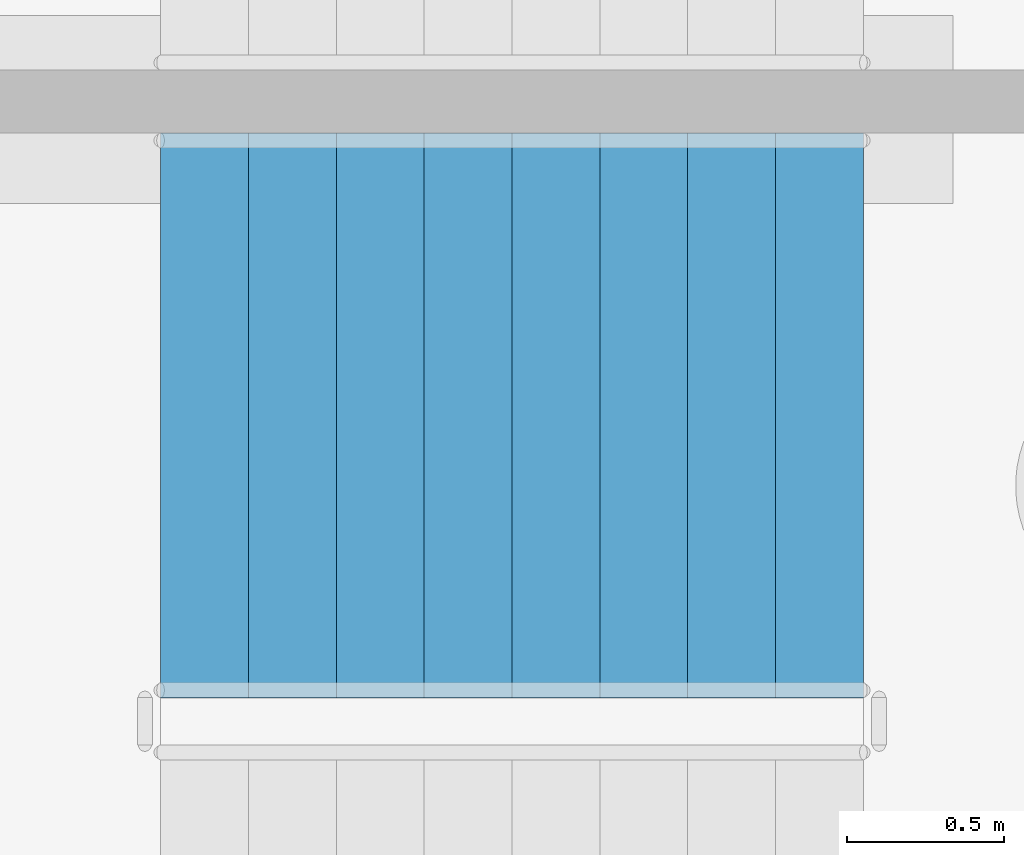
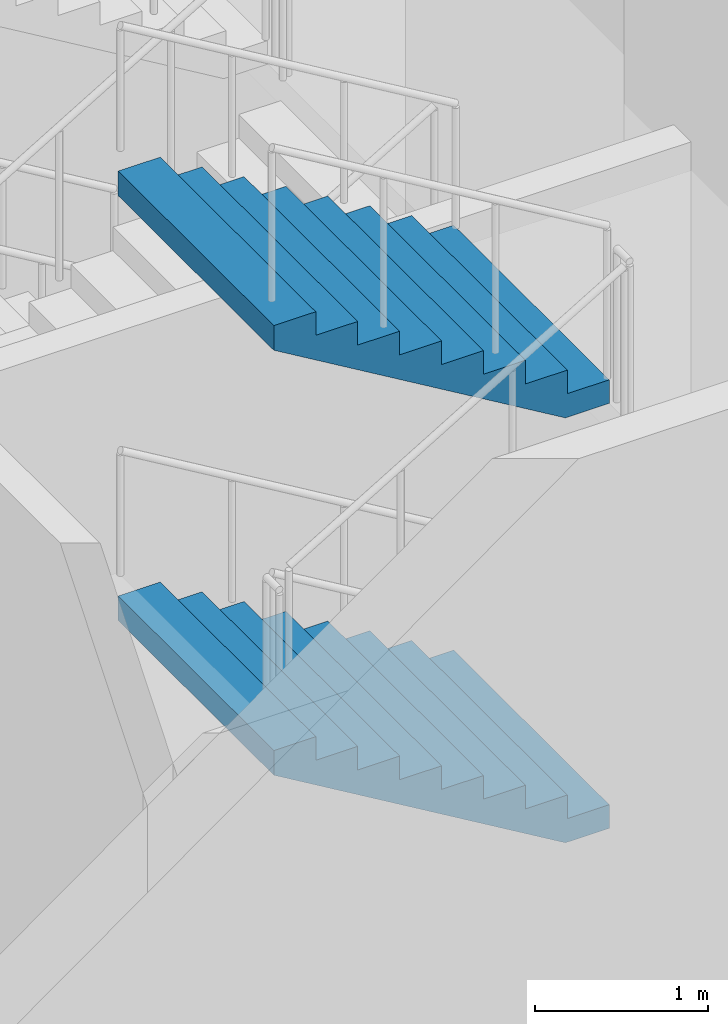
# One storey, part 24 of 39: 2 stair flights, 1 element without a shape of its own.
"""IFC4 building model written with IfcOpenShell, lengths in metres."""

from ifc_helpers import new_model, si_unit, direction, frame, origin, place, context, subcontext, project, spatial, triangles, material, type_object, element, aggregate, save


model = new_model("IFC4")

# Units and contexts
model_context = context("Model", 3, precision=1e-05, world=origin(), true_north=direction((0.0, 1.0)))
body_context = subcontext(model_context, "Body", "Model", "MODEL_VIEW")
ifc_project = project(units=[si_unit("LENGTHUNIT", "METRE"), si_unit("AREAUNIT", "SQUARE_METRE"), si_unit("VOLUMEUNIT", "CUBIC_METRE"), si_unit("PLANEANGLEUNIT", "RADIAN"), si_unit("MASSUNIT", "GRAM", prefix="KILO")], contexts=[model_context])

# Site, building, storey
site_placement = place(None, origin())
site = spatial("IfcSite", under=ifc_project, at=site_placement, CompositionType="ELEMENT")
building_placement = place(site_placement, origin())
building = spatial("IfcBuilding", under=site, at=building_placement, Name="Magnolia Steps Interchange", CompositionType="ELEMENT")
storey_placement = place(building_placement, frame((0.0, 0.0, -11.39990234375)))
storey = spatial("IfcBuildingStorey", under=building, at=storey_placement, Name="B2", CompositionType="ELEMENT", Elevation=-11.39990234375)

# Stair, stair flights
ifc_material_1 = material(Name="Concrete C40", Category="concrete")
stair_type = type_object("IfcStairType", Name="Exit stair 1800", PredefinedType="HALF_TURN_STAIR", material=ifc_material_1)
stair_placement = place(storey_placement, origin())
stair = element("IfcStair", 1, at=stair_placement, inside=storey, type_object=stair_type, Name="B2 Stair 14", PredefinedType="HALF_TURN_STAIR")
ifc_material_2 = material(Name="Concrete C40", Category="concrete")
stair_flight_type = type_object("IfcStairFlightType", Name="Exit stair flight", PredefinedType="STRAIGHT", material=ifc_material_2)
stair_flight_1_placement = place(storey_placement, frame((159.114990234375, 63.02490234375, 1.5), z_axis=(0.0, 0.0, 1.0), x_axis=(-1.0, 0.0, 0.0)))
stair_flight_1 = element("IfcStairFlight", 2, at=stair_flight_1_placement, type_object=stair_flight_type, Name="Stair 14 flight 2", NumberOfRisers=9, NumberOfTreads=8, PredefinedType="STRAIGHT", RiserHeight=0.166666667, TreadLength=0.28, context=body_context, shape_type="Tessellation", body=[
    triangles([(0.0, -0.9000244140625, 0.0), (0.29296875, -0.9000244140625, 0.0), (2.239990234375, -0.9000244140625, 1.158935546875), (2.239990234375, -0.9000244140625, 1.333251953125), (1.9599609375, -0.9000244140625, 1.333251953125), (1.9599609375, -0.9000244140625, 1.166748046875), (1.679931640625, -0.9000244140625, 1.166748046875), (1.679931640625, -0.9000244140625, 1.0), (1.39990234375, -0.9000244140625, 1.0), (1.39990234375, -0.9000244140625, 0.833251953125), (1.1201171875, -0.9000244140625, 0.833251953125), (1.1201171875, -0.9000244140625, 0.666748046875), (0.840087890625, -0.9000244140625, 0.666748046875), (0.840087890625, -0.9000244140625, 0.5), (0.56005859375, -0.9000244140625, 0.5), (0.56005859375, -0.9000244140625, 0.333251953125), (0.280029296875, -0.9000244140625, 0.333251953125), (0.280029296875, -0.9000244140625, 0.166748046875), (0.0, -0.9000244140625, 0.166748046875), (0.0, 0.9000244140625, 0.0), (0.29296875, 0.9000244140625, 0.0), (2.239990234375, 0.9000244140625, 1.158935546875), (2.239990234375, 0.9000244140625, 1.333251953125), (1.9599609375, 0.9000244140625, 1.333251953125), (1.9599609375, 0.9000244140625, 1.166748046875), (1.679931640625, 0.9000244140625, 1.166748046875), (1.679931640625, 0.9000244140625, 1.0), (1.39990234375, 0.9000244140625, 1.0), (1.39990234375, 0.9000244140625, 0.833251953125), (1.1201171875, 0.9000244140625, 0.833251953125), (1.1201171875, 0.9000244140625, 0.666748046875), (0.840087890625, 0.9000244140625, 0.666748046875), (0.840087890625, 0.9000244140625, 0.5), (0.56005859375, 0.9000244140625, 0.5), (0.56005859375, 0.9000244140625, 0.333251953125), (0.280029296875, 0.9000244140625, 0.333251953125), (0.280029296875, 0.9000244140625, 0.166748046875), (0.0, 0.9000244140625, 0.166748046875), (0.0, 0.0, 0.0), (0.0, 0.0, 0.04168701171875), (0.0, 0.0, 0.0833740234375), (0.0, 0.0, 0.12506103515625), (0.0, 0.0, 0.166748046875), (0.0, -0.05, 0.0), (0.0, -0.05, 0.166748046875), (0.0, 0.05, 0.0), (0.0, 0.05, 0.166748046875), (0.046671549479166664, 0.0, 0.166748046875), (0.09334309895833333, 0.0, 0.166748046875), (0.1400146484375, 0.0, 0.166748046875), (0.18668619791666666, 0.0, 0.166748046875), (0.23335774739583334, 0.0, 0.166748046875), (0.280029296875, 0.0, 0.166748046875), (0.280029296875, -0.05, 0.166748046875), (0.280029296875, 0.05, 0.166748046875), (0.280029296875, 0.0, 0.2083740234375), (0.280029296875, 0.0, 0.25), (0.280029296875, 0.0, 0.2916259765625), (0.280029296875, 0.0, 0.333251953125), (0.280029296875, -0.05, 0.333251953125), (0.280029296875, 0.05, 0.333251953125), (0.3267008463541667, 0.0, 0.333251953125), (0.3733723958333333, 0.0, 0.333251953125), (0.4200439453125, 0.0, 0.333251953125), (0.46671549479166663, 0.0, 0.333251953125), (0.5133870442708334, 0.0, 0.333251953125), (0.56005859375, 0.0, 0.333251953125), (0.56005859375, -0.05, 0.333251953125), (0.56005859375, 0.05, 0.333251953125), (0.56005859375, 0.0, 0.37493896484375), (0.56005859375, 0.0, 0.4166259765625), (0.56005859375, 0.0, 0.45831298828125), (0.56005859375, 0.0, 0.5), (0.56005859375, -0.05, 0.5), (0.56005859375, 0.05, 0.5), (0.6067301432291666, 0.0, 0.5), (0.6534016927083334, 0.0, 0.5), (0.7000732421875, 0.0, 0.5), (0.7467447916666666, 0.0, 0.5), (0.7934163411458334, 0.0, 0.5), (0.840087890625, 0.0, 0.5), (0.840087890625, -0.05, 0.5), (0.840087890625, 0.05, 0.5), (0.840087890625, 0.0, 0.54168701171875), (0.840087890625, 0.0, 0.5833740234375), (0.840087890625, 0.0, 0.62506103515625), (0.840087890625, 0.0, 0.666748046875), (0.840087890625, -0.05, 0.666748046875), (0.840087890625, 0.05, 0.666748046875), (0.8867594401041666, 0.0, 0.666748046875), (0.9334309895833334, 0.0, 0.666748046875), (0.9801025390625, 0.0, 0.666748046875), (1.0267740885416667, 0.0, 0.666748046875), (1.0734456380208333, 0.0, 0.666748046875), (1.1201171875, 0.0, 0.666748046875), (1.1201171875, -0.05, 0.666748046875), (1.1201171875, 0.05, 0.666748046875), (1.1201171875, 0.0, 0.7083740234375), (1.1201171875, 0.0, 0.75), (1.1201171875, 0.0, 0.7916259765625), (1.1201171875, 0.0, 0.833251953125), (1.1201171875, -0.05, 0.833251953125), (1.1201171875, 0.05, 0.833251953125), (1.1900634765625, 0.0, 0.833251953125), (1.260009765625, 0.0, 0.833251953125), (1.3299560546875, 0.0, 0.833251953125), (1.39990234375, 0.0, 0.833251953125), (1.39990234375, -0.05, 0.833251953125), (1.39990234375, 0.05, 0.833251953125), (1.39990234375, 0.0, 0.87493896484375), (1.39990234375, 0.0, 0.9166259765625), (1.39990234375, 0.0, 0.95831298828125), (1.39990234375, 0.0, 1.0), (1.39990234375, -0.05, 1.0), (1.39990234375, 0.05, 1.0), (1.4465738932291667, 0.0, 1.0), (1.4932454427083333, 0.0, 1.0), (1.5399169921875, 0.0, 1.0), (1.5865885416666667, 0.0, 1.0), (1.6332600911458333, 0.0, 1.0), (1.679931640625, 0.0, 1.0), (1.679931640625, -0.05, 1.0), (1.679931640625, 0.05, 1.0), (1.679931640625, 0.0, 1.04168701171875), (1.679931640625, 0.0, 1.0833740234375), (1.679931640625, 0.0, 1.12506103515625), (1.679931640625, 0.0, 1.166748046875), (1.679931640625, -0.05, 1.166748046875), (1.679931640625, 0.05, 1.166748046875), (1.7266031901041667, 0.0, 1.166748046875), (1.7732747395833333, 0.0, 1.166748046875), (1.8199462890625, 0.0, 1.166748046875), (1.8666178385416667, 0.0, 1.166748046875), (1.9132893880208333, 0.0, 1.166748046875), (1.9599609375, 0.0, 1.166748046875), (1.9599609375, -0.05, 1.166748046875), (1.9599609375, 0.05, 1.166748046875), (1.9599609375, 0.0, 1.2083740234375), (1.9599609375, 0.0, 1.25), (1.9599609375, 0.0, 1.2916259765625), (1.9599609375, 0.0, 1.333251953125), (1.9599609375, -0.05, 1.333251953125), (1.9599609375, 0.05, 1.333251953125), (2.0066324869791665, 0.0, 1.333251953125), (2.0533040364583335, 0.0, 1.333251953125), (2.0999755859375, 0.0, 1.333251953125), (2.1466471354166665, 0.0, 1.333251953125), (2.1933186848958335, 0.0, 1.333251953125), (2.239990234375, 0.0, 1.333251953125), (2.239990234375, -0.05, 1.333251953125), (2.239990234375, 0.05, 1.333251953125), (2.239990234375, 0.0, 1.2896728515625), (2.239990234375, 0.0, 1.24609375), (2.239990234375, 0.0, 1.2025146484375), (2.239990234375, 0.0, 1.158935546875), (2.239990234375, -0.05, 1.158935546875), (2.239990234375, 0.05, 1.158935546875), (2.1827248965992645, 0.0, 1.1248492072610294), (2.1254595588235294, 0.0, 1.0907628676470589), (2.068194221047794, 0.0, 1.0566765280330883), (2.010928883272059, 0.0, 1.0225901884191178), (1.9536635454963236, 0.0, 0.9885038488051471), (1.8963982077205883, 0.0, 0.9544175091911764), (1.8391328699448528, 0.0, 0.9203311695772058), (1.7818675321691178, 0.0, 0.8862448299632353), (1.7246021943933822, 0.0, 0.8521584903492647), (1.6673368566176472, 0.0, 0.8180721507352942), (1.6100715188419117, 0.0, 0.7839858111213236), (1.5528061810661766, 0.0, 0.7498994715073529), (1.4955408432904411, 0.0, 0.7158131318933824), (1.4382755055147058, 0.0, 0.6817267922794117), (1.3810101677389706, 0.0, 0.6476404526654411), (1.3237448299632353, 0.0, 0.6135541130514706), (1.2664794921875, 0.0, 0.5794677734375), (1.2092141544117647, 0.0, 0.5453814338235294), (1.1519488166360294, 0.0, 0.5112950942095589), (1.0946834788602942, 0.0, 0.4772087545955882), (1.0374181410845589, 0.0, 0.44312241498161764), (0.9801528033088236, 0.0, 0.4090360753676471), (0.9228874655330883, 0.0, 0.3749497357536765), (0.865622127757353, 0.0, 0.34086339613970584), (0.8083567899816178, 0.0, 0.3067770565257353), (0.7510914522058822, 0.0, 0.2726907169117647), (0.693826114430147, 0.0, 0.23860437729779416), (0.6365607766544117, 0.0, 0.20451803768382348), (0.5792954388786764, 0.0, 0.17043169806985292), (0.5220301011029411, 0.0, 0.13634535845588225), (0.46476476332720584, 0.0, 0.10225901884191169), (0.40749942555147056, 0.0, 0.06817267922794112), (0.3502340877757353, 0.0, 0.03408633961397056), (0.29296875, 0.0, 0.0), (0.29296875, -0.05, 0.0), (0.29296875, 0.05, 0.0), (0.244140625, 0.0, 0.0), (0.1953125, 0.0, 0.0), (0.146484375, 0.0, 0.0), (0.09765625, 0.0, 0.0), (0.048828125, 0.0, 0.0)], [[1, 2, 3], [3, 4, 5], [3, 5, 6], [3, 6, 7], [3, 7, 8], [8, 9, 10], [3, 8, 10], [10, 11, 12], [3, 10, 12], [12, 13, 14], [3, 12, 14], [14, 15, 16], [3, 14, 16], [1, 3, 16], [16, 17, 18], [1, 16, 18], [18, 19, 1], [20, 22, 21], [22, 24, 23], [22, 25, 24], [22, 26, 25], [22, 27, 26], [27, 29, 28], [22, 29, 27], [29, 31, 30], [22, 31, 29], [31, 33, 32], [22, 33, 31], [33, 35, 34], [22, 35, 33], [20, 35, 22], [35, 37, 36], [20, 37, 35], [37, 20, 38], [1, 19, 45], [1, 45, 44], [44, 40, 39], [44, 41, 40], [44, 45, 41], [45, 42, 41], [45, 43, 42], [20, 47, 38], [20, 46, 47], [46, 39, 40], [46, 40, 41], [46, 41, 47], [47, 41, 42], [47, 42, 43], [19, 18, 54], [19, 54, 45], [45, 48, 43], [45, 49, 48], [45, 50, 49], [45, 54, 50], [54, 51, 50], [54, 52, 51], [54, 53, 52], [38, 55, 37], [38, 47, 55], [47, 43, 48], [47, 48, 49], [47, 49, 50], [47, 50, 55], [55, 50, 51], [55, 51, 52], [55, 52, 53], [18, 17, 60], [18, 60, 54], [54, 56, 53], [54, 57, 56], [54, 60, 57], [60, 58, 57], [60, 59, 58], [37, 61, 36], [37, 55, 61], [55, 53, 56], [55, 56, 57], [55, 57, 61], [61, 57, 58], [61, 58, 59], [17, 16, 68], [17, 68, 60], [60, 62, 59], [60, 63, 62], [60, 64, 63], [60, 68, 64], [68, 65, 64], [68, 66, 65], [68, 67, 66], [36, 69, 35], [36, 61, 69], [61, 59, 62], [61, 62, 63], [61, 63, 64], [61, 64, 69], [69, 64, 65], [69, 65, 66], [69, 66, 67], [16, 15, 74], [16, 74, 68], [68, 70, 67], [68, 71, 70], [68, 74, 71], [74, 72, 71], [74, 73, 72], [35, 75, 34], [35, 69, 75], [69, 67, 70], [69, 70, 71], [69, 71, 75], [75, 71, 72], [75, 72, 73], [15, 14, 82], [15, 82, 74], [74, 76, 73], [74, 77, 76], [74, 78, 77], [74, 82, 78], [82, 79, 78], [82, 80, 79], [82, 81, 80], [34, 83, 33], [34, 75, 83], [75, 73, 76], [75, 76, 77], [75, 77, 78], [75, 78, 83], [83, 78, 79], [83, 79, 80], [83, 80, 81], [14, 13, 88], [14, 88, 82], [82, 84, 81], [82, 85, 84], [82, 88, 85], [88, 86, 85], [88, 87, 86], [33, 89, 32], [33, 83, 89], [83, 81, 84], [83, 84, 85], [83, 85, 89], [89, 85, 86], [89, 86, 87], [13, 12, 96], [13, 96, 88], [88, 90, 87], [88, 91, 90], [88, 92, 91], [88, 96, 92], [96, 93, 92], [96, 94, 93], [96, 95, 94], [32, 97, 31], [32, 89, 97], [89, 87, 90], [89, 90, 91], [89, 91, 92], [89, 92, 97], [97, 92, 93], [97, 93, 94], [97, 94, 95], [12, 11, 102], [12, 102, 96], [96, 98, 95], [96, 99, 98], [96, 102, 99], [102, 100, 99], [102, 101, 100], [31, 103, 30], [31, 97, 103], [97, 95, 98], [97, 98, 99], [97, 99, 103], [103, 99, 100], [103, 100, 101], [11, 10, 108], [11, 108, 102], [102, 104, 101], [102, 105, 104], [102, 108, 105], [108, 106, 105], [108, 107, 106], [30, 109, 29], [30, 103, 109], [103, 101, 104], [103, 104, 105], [103, 105, 109], [109, 105, 106], [109, 106, 107], [10, 9, 114], [10, 114, 108], [108, 110, 107], [108, 111, 110], [108, 114, 111], [114, 112, 111], [114, 113, 112], [29, 115, 28], [29, 109, 115], [109, 107, 110], [109, 110, 111], [109, 111, 115], [115, 111, 112], [115, 112, 113], [9, 8, 122], [9, 122, 114], [114, 116, 113], [114, 117, 116], [114, 118, 117], [114, 122, 118], [122, 119, 118], [122, 120, 119], [122, 121, 120], [28, 123, 27], [28, 115, 123], [115, 113, 116], [115, 116, 117], [115, 117, 118], [115, 118, 123], [123, 118, 119], [123, 119, 120], [123, 120, 121], [8, 7, 128], [8, 128, 122], [122, 124, 121], [122, 125, 124], [122, 128, 125], [128, 126, 125], [128, 127, 126], [27, 129, 26], [27, 123, 129], [123, 121, 124], [123, 124, 125], [123, 125, 129], [129, 125, 126], [129, 126, 127], [7, 6, 136], [7, 136, 128], [128, 130, 127], [128, 131, 130], [128, 132, 131], [128, 136, 132], [136, 133, 132], [136, 134, 133], [136, 135, 134], [26, 137, 25], [26, 129, 137], [129, 127, 130], [129, 130, 131], [129, 131, 132], [129, 132, 137], [137, 132, 133], [137, 133, 134], [137, 134, 135], [6, 5, 142], [6, 142, 136], [136, 138, 135], [136, 139, 138], [136, 142, 139], [142, 140, 139], [142, 141, 140], [25, 143, 24], [25, 137, 143], [137, 135, 138], [137, 138, 139], [137, 139, 143], [143, 139, 140], [143, 140, 141], [5, 4, 150], [5, 150, 142], [142, 144, 141], [142, 145, 144], [142, 146, 145], [142, 150, 146], [150, 147, 146], [150, 148, 147], [150, 149, 148], [24, 151, 23], [24, 143, 151], [143, 141, 144], [143, 144, 145], [143, 145, 146], [143, 146, 151], [151, 146, 147], [151, 147, 148], [151, 148, 149], [4, 3, 156], [4, 156, 150], [150, 152, 149], [150, 153, 152], [150, 156, 153], [156, 154, 153], [156, 155, 154], [23, 157, 22], [23, 151, 157], [151, 149, 152], [151, 152, 153], [151, 153, 157], [157, 153, 154], [157, 154, 155], [3, 2, 192], [3, 192, 156], [156, 158, 155], [156, 159, 158], [156, 160, 159], [156, 161, 160], [156, 162, 161], [156, 163, 162], [156, 164, 163], [156, 165, 164], [156, 166, 165], [156, 167, 166], [156, 168, 167], [156, 169, 168], [156, 170, 169], [156, 171, 170], [156, 172, 171], [156, 173, 172], [156, 174, 173], [156, 192, 174], [192, 175, 174], [192, 176, 175], [192, 177, 176], [192, 178, 177], [192, 179, 178], [192, 180, 179], [192, 181, 180], [192, 182, 181], [192, 183, 182], [192, 184, 183], [192, 185, 184], [192, 186, 185], [192, 187, 186], [192, 188, 187], [192, 189, 188], [192, 190, 189], [192, 191, 190], [22, 193, 21], [22, 157, 193], [157, 155, 158], [157, 158, 159], [157, 159, 160], [157, 160, 161], [157, 161, 162], [157, 162, 163], [157, 163, 164], [157, 164, 165], [157, 165, 166], [157, 166, 167], [157, 167, 168], [157, 168, 169], [157, 169, 170], [157, 170, 171], [157, 171, 172], [157, 172, 173], [157, 173, 174], [157, 174, 193], [193, 174, 175], [193, 175, 176], [193, 176, 177], [193, 177, 178], [193, 178, 179], [193, 179, 180], [193, 180, 181], [193, 181, 182], [193, 182, 183], [193, 183, 184], [193, 184, 185], [193, 185, 186], [193, 186, 187], [193, 187, 188], [193, 188, 189], [193, 189, 190], [193, 190, 191], [2, 1, 44], [2, 44, 192], [192, 194, 191], [192, 195, 194], [192, 196, 195], [192, 44, 196], [44, 197, 196], [44, 198, 197], [44, 39, 198], [21, 46, 20], [21, 193, 46], [193, 191, 194], [193, 194, 195], [193, 195, 196], [193, 196, 46], [46, 196, 197], [46, 197, 198], [46, 198, 39]], closed=True),
])
stair_flight_2_placement = place(storey_placement, frame((159.114990234375, 63.02490234375, 4.5), z_axis=(0.0, 0.0, 1.0), x_axis=(-1.0, 0.0, 0.0)))
stair_flight_2 = element("IfcStairFlight", 3, at=stair_flight_2_placement, type_object=stair_flight_type, Name="Stair 14 flight 4", NumberOfRisers=9, NumberOfTreads=8, PredefinedType="STRAIGHT", RiserHeight=0.166666667, TreadLength=0.28, context=body_context, shape_type="Tessellation", body=[
    triangles([(0.0, -0.9000244140625, 0.0), (0.29296875, -0.9000244140625, 0.0), (2.239990234375, -0.9000244140625, 1.158935546875), (2.239990234375, -0.9000244140625, 1.333251953125), (1.9599609375, -0.9000244140625, 1.333251953125), (1.9599609375, -0.9000244140625, 1.166748046875), (1.679931640625, -0.9000244140625, 1.166748046875), (1.679931640625, -0.9000244140625, 1.0), (1.39990234375, -0.9000244140625, 1.0), (1.39990234375, -0.9000244140625, 0.833251953125), (1.1201171875, -0.9000244140625, 0.833251953125), (1.1201171875, -0.9000244140625, 0.666748046875), (0.840087890625, -0.9000244140625, 0.666748046875), (0.840087890625, -0.9000244140625, 0.5), (0.56005859375, -0.9000244140625, 0.5), (0.56005859375, -0.9000244140625, 0.333251953125), (0.280029296875, -0.9000244140625, 0.333251953125), (0.280029296875, -0.9000244140625, 0.166748046875), (0.0, -0.9000244140625, 0.166748046875), (0.0, 0.9000244140625, 0.0), (0.29296875, 0.9000244140625, 0.0), (2.239990234375, 0.9000244140625, 1.158935546875), (2.239990234375, 0.9000244140625, 1.333251953125), (1.9599609375, 0.9000244140625, 1.333251953125), (1.9599609375, 0.9000244140625, 1.166748046875), (1.679931640625, 0.9000244140625, 1.166748046875), (1.679931640625, 0.9000244140625, 1.0), (1.39990234375, 0.9000244140625, 1.0), (1.39990234375, 0.9000244140625, 0.833251953125), (1.1201171875, 0.9000244140625, 0.833251953125), (1.1201171875, 0.9000244140625, 0.666748046875), (0.840087890625, 0.9000244140625, 0.666748046875), (0.840087890625, 0.9000244140625, 0.5), (0.56005859375, 0.9000244140625, 0.5), (0.56005859375, 0.9000244140625, 0.333251953125), (0.280029296875, 0.9000244140625, 0.333251953125), (0.280029296875, 0.9000244140625, 0.166748046875), (0.0, 0.9000244140625, 0.166748046875), (0.0, 0.0, 0.0), (0.0, 0.0, 0.04168701171875), (0.0, 0.0, 0.0833740234375), (0.0, 0.0, 0.12506103515625), (0.0, 0.0, 0.166748046875), (0.0, -0.05, 0.0), (0.0, -0.05, 0.166748046875), (0.0, 0.05, 0.0), (0.0, 0.05, 0.166748046875), (0.046671549479166664, 0.0, 0.166748046875), (0.09334309895833333, 0.0, 0.166748046875), (0.1400146484375, 0.0, 0.166748046875), (0.18668619791666666, 0.0, 0.166748046875), (0.23335774739583334, 0.0, 0.166748046875), (0.280029296875, 0.0, 0.166748046875), (0.280029296875, -0.05, 0.166748046875), (0.280029296875, 0.05, 0.166748046875), (0.280029296875, 0.0, 0.2083740234375), (0.280029296875, 0.0, 0.25), (0.280029296875, 0.0, 0.2916259765625), (0.280029296875, 0.0, 0.333251953125), (0.280029296875, -0.05, 0.333251953125), (0.280029296875, 0.05, 0.333251953125), (0.3267008463541667, 0.0, 0.333251953125), (0.3733723958333333, 0.0, 0.333251953125), (0.4200439453125, 0.0, 0.333251953125), (0.46671549479166663, 0.0, 0.333251953125), (0.5133870442708334, 0.0, 0.333251953125), (0.56005859375, 0.0, 0.333251953125), (0.56005859375, -0.05, 0.333251953125), (0.56005859375, 0.05, 0.333251953125), (0.56005859375, 0.0, 0.37493896484375), (0.56005859375, 0.0, 0.4166259765625), (0.56005859375, 0.0, 0.45831298828125), (0.56005859375, 0.0, 0.5), (0.56005859375, -0.05, 0.5), (0.56005859375, 0.05, 0.5), (0.6067301432291666, 0.0, 0.5), (0.6534016927083334, 0.0, 0.5), (0.7000732421875, 0.0, 0.5), (0.7467447916666666, 0.0, 0.5), (0.7934163411458334, 0.0, 0.5), (0.840087890625, 0.0, 0.5), (0.840087890625, -0.05, 0.5), (0.840087890625, 0.05, 0.5), (0.840087890625, 0.0, 0.54168701171875), (0.840087890625, 0.0, 0.5833740234375), (0.840087890625, 0.0, 0.62506103515625), (0.840087890625, 0.0, 0.666748046875), (0.840087890625, -0.05, 0.666748046875), (0.840087890625, 0.05, 0.666748046875), (0.8867594401041666, 0.0, 0.666748046875), (0.9334309895833334, 0.0, 0.666748046875), (0.9801025390625, 0.0, 0.666748046875), (1.0267740885416667, 0.0, 0.666748046875), (1.0734456380208333, 0.0, 0.666748046875), (1.1201171875, 0.0, 0.666748046875), (1.1201171875, -0.05, 0.666748046875), (1.1201171875, 0.05, 0.666748046875), (1.1201171875, 0.0, 0.7083740234375), (1.1201171875, 0.0, 0.75), (1.1201171875, 0.0, 0.7916259765625), (1.1201171875, 0.0, 0.833251953125), (1.1201171875, -0.05, 0.833251953125), (1.1201171875, 0.05, 0.833251953125), (1.1900634765625, 0.0, 0.833251953125), (1.260009765625, 0.0, 0.833251953125), (1.3299560546875, 0.0, 0.833251953125), (1.39990234375, 0.0, 0.833251953125), (1.39990234375, -0.05, 0.833251953125), (1.39990234375, 0.05, 0.833251953125), (1.39990234375, 0.0, 0.87493896484375), (1.39990234375, 0.0, 0.9166259765625), (1.39990234375, 0.0, 0.95831298828125), (1.39990234375, 0.0, 1.0), (1.39990234375, -0.05, 1.0), (1.39990234375, 0.05, 1.0), (1.4465738932291667, 0.0, 1.0), (1.4932454427083333, 0.0, 1.0), (1.5399169921875, 0.0, 1.0), (1.5865885416666667, 0.0, 1.0), (1.6332600911458333, 0.0, 1.0), (1.679931640625, 0.0, 1.0), (1.679931640625, -0.05, 1.0), (1.679931640625, 0.05, 1.0), (1.679931640625, 0.0, 1.04168701171875), (1.679931640625, 0.0, 1.0833740234375), (1.679931640625, 0.0, 1.12506103515625), (1.679931640625, 0.0, 1.166748046875), (1.679931640625, -0.05, 1.166748046875), (1.679931640625, 0.05, 1.166748046875), (1.7266031901041667, 0.0, 1.166748046875), (1.7732747395833333, 0.0, 1.166748046875), (1.8199462890625, 0.0, 1.166748046875), (1.8666178385416667, 0.0, 1.166748046875), (1.9132893880208333, 0.0, 1.166748046875), (1.9599609375, 0.0, 1.166748046875), (1.9599609375, -0.05, 1.166748046875), (1.9599609375, 0.05, 1.166748046875), (1.9599609375, 0.0, 1.2083740234375), (1.9599609375, 0.0, 1.25), (1.9599609375, 0.0, 1.2916259765625), (1.9599609375, 0.0, 1.333251953125), (1.9599609375, -0.05, 1.333251953125), (1.9599609375, 0.05, 1.333251953125), (2.0066324869791665, 0.0, 1.333251953125), (2.0533040364583335, 0.0, 1.333251953125), (2.0999755859375, 0.0, 1.333251953125), (2.1466471354166665, 0.0, 1.333251953125), (2.1933186848958335, 0.0, 1.333251953125), (2.239990234375, 0.0, 1.333251953125), (2.239990234375, -0.05, 1.333251953125), (2.239990234375, 0.05, 1.333251953125), (2.239990234375, 0.0, 1.2896728515625), (2.239990234375, 0.0, 1.24609375), (2.239990234375, 0.0, 1.2025146484375), (2.239990234375, 0.0, 1.158935546875), (2.239990234375, -0.05, 1.158935546875), (2.239990234375, 0.05, 1.158935546875), (2.1827248965992645, 0.0, 1.1248492072610294), (2.1254595588235294, 0.0, 1.0907628676470589), (2.068194221047794, 0.0, 1.0566765280330883), (2.010928883272059, 0.0, 1.0225901884191178), (1.9536635454963236, 0.0, 0.9885038488051471), (1.8963982077205883, 0.0, 0.9544175091911764), (1.8391328699448528, 0.0, 0.9203311695772058), (1.7818675321691178, 0.0, 0.8862448299632353), (1.7246021943933822, 0.0, 0.8521584903492647), (1.6673368566176472, 0.0, 0.8180721507352942), (1.6100715188419117, 0.0, 0.7839858111213236), (1.5528061810661766, 0.0, 0.7498994715073529), (1.4955408432904411, 0.0, 0.7158131318933824), (1.4382755055147058, 0.0, 0.6817267922794117), (1.3810101677389706, 0.0, 0.6476404526654411), (1.3237448299632353, 0.0, 0.6135541130514706), (1.2664794921875, 0.0, 0.5794677734375), (1.2092141544117647, 0.0, 0.5453814338235294), (1.1519488166360294, 0.0, 0.5112950942095589), (1.0946834788602942, 0.0, 0.4772087545955882), (1.0374181410845589, 0.0, 0.44312241498161764), (0.9801528033088236, 0.0, 0.4090360753676471), (0.9228874655330883, 0.0, 0.3749497357536765), (0.865622127757353, 0.0, 0.34086339613970584), (0.8083567899816178, 0.0, 0.3067770565257353), (0.7510914522058822, 0.0, 0.2726907169117647), (0.693826114430147, 0.0, 0.23860437729779416), (0.6365607766544117, 0.0, 0.20451803768382348), (0.5792954388786764, 0.0, 0.17043169806985292), (0.5220301011029411, 0.0, 0.13634535845588225), (0.46476476332720584, 0.0, 0.10225901884191169), (0.40749942555147056, 0.0, 0.06817267922794112), (0.3502340877757353, 0.0, 0.03408633961397056), (0.29296875, 0.0, 0.0), (0.29296875, -0.05, 0.0), (0.29296875, 0.05, 0.0), (0.244140625, 0.0, 0.0), (0.1953125, 0.0, 0.0), (0.146484375, 0.0, 0.0), (0.09765625, 0.0, 0.0), (0.048828125, 0.0, 0.0)], [[1, 2, 3], [3, 4, 5], [3, 5, 6], [3, 6, 7], [3, 7, 8], [8, 9, 10], [3, 8, 10], [10, 11, 12], [3, 10, 12], [12, 13, 14], [3, 12, 14], [14, 15, 16], [3, 14, 16], [1, 3, 16], [16, 17, 18], [1, 16, 18], [18, 19, 1], [20, 22, 21], [22, 24, 23], [22, 25, 24], [22, 26, 25], [22, 27, 26], [27, 29, 28], [22, 29, 27], [29, 31, 30], [22, 31, 29], [31, 33, 32], [22, 33, 31], [33, 35, 34], [22, 35, 33], [20, 35, 22], [35, 37, 36], [20, 37, 35], [37, 20, 38], [1, 19, 45], [1, 45, 44], [44, 40, 39], [44, 41, 40], [44, 45, 41], [45, 42, 41], [45, 43, 42], [20, 47, 38], [20, 46, 47], [46, 39, 40], [46, 40, 41], [46, 41, 47], [47, 41, 42], [47, 42, 43], [19, 18, 54], [19, 54, 45], [45, 48, 43], [45, 49, 48], [45, 50, 49], [45, 54, 50], [54, 51, 50], [54, 52, 51], [54, 53, 52], [38, 55, 37], [38, 47, 55], [47, 43, 48], [47, 48, 49], [47, 49, 50], [47, 50, 55], [55, 50, 51], [55, 51, 52], [55, 52, 53], [18, 17, 60], [18, 60, 54], [54, 56, 53], [54, 57, 56], [54, 60, 57], [60, 58, 57], [60, 59, 58], [37, 61, 36], [37, 55, 61], [55, 53, 56], [55, 56, 57], [55, 57, 61], [61, 57, 58], [61, 58, 59], [17, 16, 68], [17, 68, 60], [60, 62, 59], [60, 63, 62], [60, 64, 63], [60, 68, 64], [68, 65, 64], [68, 66, 65], [68, 67, 66], [36, 69, 35], [36, 61, 69], [61, 59, 62], [61, 62, 63], [61, 63, 64], [61, 64, 69], [69, 64, 65], [69, 65, 66], [69, 66, 67], [16, 15, 74], [16, 74, 68], [68, 70, 67], [68, 71, 70], [68, 74, 71], [74, 72, 71], [74, 73, 72], [35, 75, 34], [35, 69, 75], [69, 67, 70], [69, 70, 71], [69, 71, 75], [75, 71, 72], [75, 72, 73], [15, 14, 82], [15, 82, 74], [74, 76, 73], [74, 77, 76], [74, 78, 77], [74, 82, 78], [82, 79, 78], [82, 80, 79], [82, 81, 80], [34, 83, 33], [34, 75, 83], [75, 73, 76], [75, 76, 77], [75, 77, 78], [75, 78, 83], [83, 78, 79], [83, 79, 80], [83, 80, 81], [14, 13, 88], [14, 88, 82], [82, 84, 81], [82, 85, 84], [82, 88, 85], [88, 86, 85], [88, 87, 86], [33, 89, 32], [33, 83, 89], [83, 81, 84], [83, 84, 85], [83, 85, 89], [89, 85, 86], [89, 86, 87], [13, 12, 96], [13, 96, 88], [88, 90, 87], [88, 91, 90], [88, 92, 91], [88, 96, 92], [96, 93, 92], [96, 94, 93], [96, 95, 94], [32, 97, 31], [32, 89, 97], [89, 87, 90], [89, 90, 91], [89, 91, 92], [89, 92, 97], [97, 92, 93], [97, 93, 94], [97, 94, 95], [12, 11, 102], [12, 102, 96], [96, 98, 95], [96, 99, 98], [96, 102, 99], [102, 100, 99], [102, 101, 100], [31, 103, 30], [31, 97, 103], [97, 95, 98], [97, 98, 99], [97, 99, 103], [103, 99, 100], [103, 100, 101], [11, 10, 108], [11, 108, 102], [102, 104, 101], [102, 105, 104], [102, 108, 105], [108, 106, 105], [108, 107, 106], [30, 109, 29], [30, 103, 109], [103, 101, 104], [103, 104, 105], [103, 105, 109], [109, 105, 106], [109, 106, 107], [10, 9, 114], [10, 114, 108], [108, 110, 107], [108, 111, 110], [108, 114, 111], [114, 112, 111], [114, 113, 112], [29, 115, 28], [29, 109, 115], [109, 107, 110], [109, 110, 111], [109, 111, 115], [115, 111, 112], [115, 112, 113], [9, 8, 122], [9, 122, 114], [114, 116, 113], [114, 117, 116], [114, 118, 117], [114, 122, 118], [122, 119, 118], [122, 120, 119], [122, 121, 120], [28, 123, 27], [28, 115, 123], [115, 113, 116], [115, 116, 117], [115, 117, 118], [115, 118, 123], [123, 118, 119], [123, 119, 120], [123, 120, 121], [8, 7, 128], [8, 128, 122], [122, 124, 121], [122, 125, 124], [122, 128, 125], [128, 126, 125], [128, 127, 126], [27, 129, 26], [27, 123, 129], [123, 121, 124], [123, 124, 125], [123, 125, 129], [129, 125, 126], [129, 126, 127], [7, 6, 136], [7, 136, 128], [128, 130, 127], [128, 131, 130], [128, 132, 131], [128, 136, 132], [136, 133, 132], [136, 134, 133], [136, 135, 134], [26, 137, 25], [26, 129, 137], [129, 127, 130], [129, 130, 131], [129, 131, 132], [129, 132, 137], [137, 132, 133], [137, 133, 134], [137, 134, 135], [6, 5, 142], [6, 142, 136], [136, 138, 135], [136, 139, 138], [136, 142, 139], [142, 140, 139], [142, 141, 140], [25, 143, 24], [25, 137, 143], [137, 135, 138], [137, 138, 139], [137, 139, 143], [143, 139, 140], [143, 140, 141], [5, 4, 150], [5, 150, 142], [142, 144, 141], [142, 145, 144], [142, 146, 145], [142, 150, 146], [150, 147, 146], [150, 148, 147], [150, 149, 148], [24, 151, 23], [24, 143, 151], [143, 141, 144], [143, 144, 145], [143, 145, 146], [143, 146, 151], [151, 146, 147], [151, 147, 148], [151, 148, 149], [4, 3, 156], [4, 156, 150], [150, 152, 149], [150, 153, 152], [150, 156, 153], [156, 154, 153], [156, 155, 154], [23, 157, 22], [23, 151, 157], [151, 149, 152], [151, 152, 153], [151, 153, 157], [157, 153, 154], [157, 154, 155], [3, 2, 192], [3, 192, 156], [156, 158, 155], [156, 159, 158], [156, 160, 159], [156, 161, 160], [156, 162, 161], [156, 163, 162], [156, 164, 163], [156, 165, 164], [156, 166, 165], [156, 167, 166], [156, 168, 167], [156, 169, 168], [156, 170, 169], [156, 171, 170], [156, 172, 171], [156, 173, 172], [156, 174, 173], [156, 192, 174], [192, 175, 174], [192, 176, 175], [192, 177, 176], [192, 178, 177], [192, 179, 178], [192, 180, 179], [192, 181, 180], [192, 182, 181], [192, 183, 182], [192, 184, 183], [192, 185, 184], [192, 186, 185], [192, 187, 186], [192, 188, 187], [192, 189, 188], [192, 190, 189], [192, 191, 190], [22, 193, 21], [22, 157, 193], [157, 155, 158], [157, 158, 159], [157, 159, 160], [157, 160, 161], [157, 161, 162], [157, 162, 163], [157, 163, 164], [157, 164, 165], [157, 165, 166], [157, 166, 167], [157, 167, 168], [157, 168, 169], [157, 169, 170], [157, 170, 171], [157, 171, 172], [157, 172, 173], [157, 173, 174], [157, 174, 193], [193, 174, 175], [193, 175, 176], [193, 176, 177], [193, 177, 178], [193, 178, 179], [193, 179, 180], [193, 180, 181], [193, 181, 182], [193, 182, 183], [193, 183, 184], [193, 184, 185], [193, 185, 186], [193, 186, 187], [193, 187, 188], [193, 188, 189], [193, 189, 190], [193, 190, 191], [2, 1, 44], [2, 44, 192], [192, 194, 191], [192, 195, 194], [192, 196, 195], [192, 44, 196], [44, 197, 196], [44, 198, 197], [44, 39, 198], [21, 46, 20], [21, 193, 46], [193, 191, 194], [193, 194, 195], [193, 195, 196], [193, 196, 46], [46, 196, 197], [46, 197, 198], [46, 198, 39]], closed=True),
])
aggregate(stair, [stair_flight_1, stair_flight_2])

save(model, "model.ifc")
